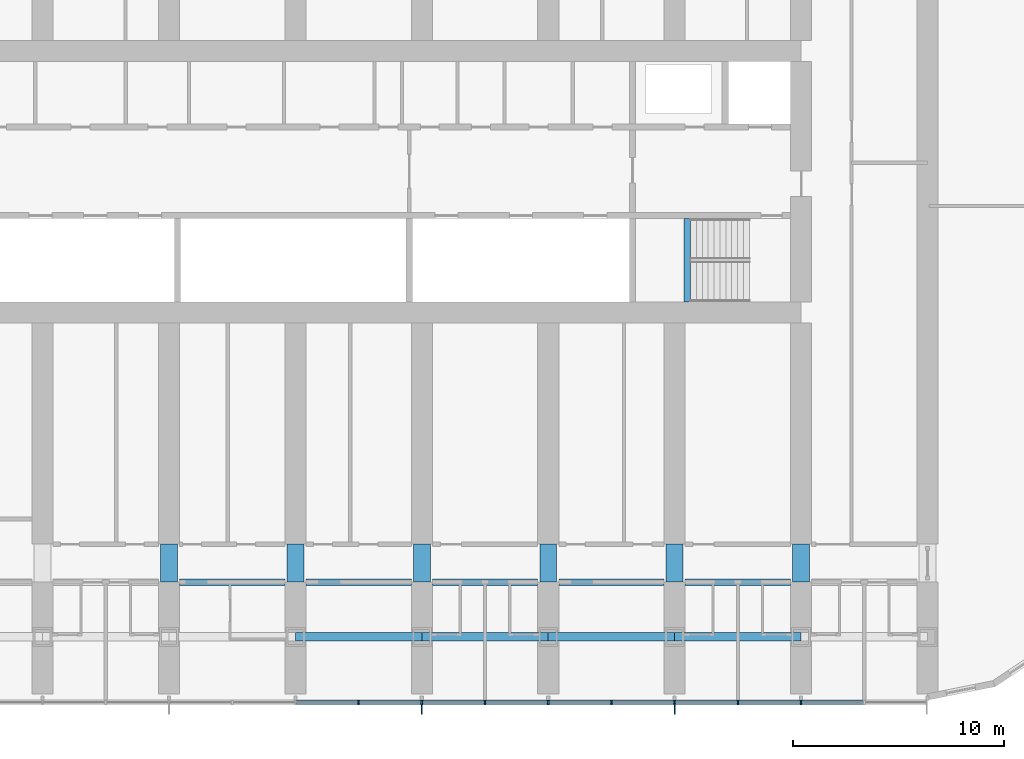
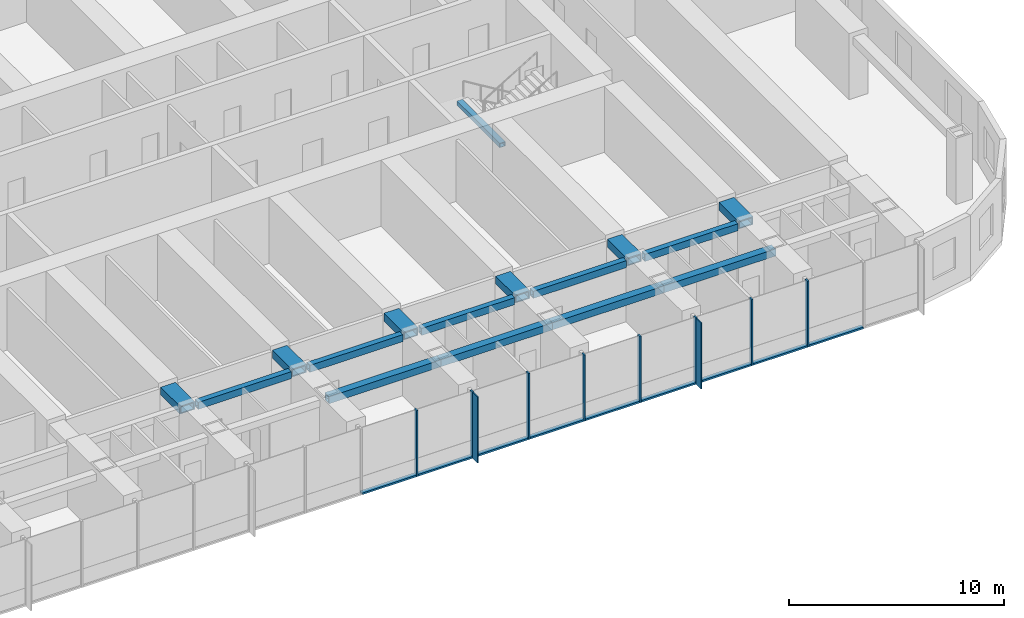
# One storey, part 3 of 24: 19 members, 16 beams, 1 element without a shape of its own.
"""IFC4 building model written with IfcOpenShell, lengths in metres."""

from ifc_helpers import new_model, si_unit, direction, frame, origin, origin_2d, place, context, subcontext, project, spatial, rectangle, hollow_rectangle, extrude, material, material_profile, profile_set, type_object, element, aggregate, save


model = new_model("IFC4")

# Units and contexts
model_context = context("Model", 3, precision=1e-05, world=origin(), true_north=direction((0.0, 1.0)))
body_context = subcontext(model_context, "Body", "Model", "MODEL_VIEW")
ifc_project = project(units=[si_unit("LENGTHUNIT", "METRE"), si_unit("AREAUNIT", "SQUARE_METRE"), si_unit("VOLUMEUNIT", "CUBIC_METRE"), si_unit("PLANEANGLEUNIT", "RADIAN"), si_unit("MASSUNIT", "GRAM", prefix="KILO")], contexts=[model_context])

# Site, building, storey
site_placement = place(None, origin())
site = spatial("IfcSite", under=ifc_project, at=site_placement, CompositionType="ELEMENT")
building_placement = place(site_placement, origin())
building = spatial("IfcBuilding", under=site, at=building_placement, Name="Orbita Commons", CompositionType="ELEMENT")
storey_placement = place(building_placement, frame((0.0, 0.0, 27.699951171875)))
storey = spatial("IfcBuildingStorey", under=building, at=storey_placement, Name="L06", CompositionType="ELEMENT", Elevation=27.699951171875)

# Curtain wall, members
ifc_material_1 = material(Name="Anodised aluminium frame, pale silver", Category="aluminium")
curtain_wall_type = type_object("IfcCurtainWallType", Name="Unitised curtain wall CW-T, vision and spandrel", PredefinedType="NOTDEFINED", material=ifc_material_1)
curtain_wall_placement = place(storey_placement, origin())
curtain_wall = element("IfcCurtainWall", 1, at=curtain_wall_placement, inside=storey, type_object=curtain_wall_type, Name="Curtain wall south L06", PredefinedType="NOTDEFINED")
ifc_material_2 = material(Name="Anodised aluminium, pale silver", Category="aluminium")
ifc_material_profile_1 = material_profile(ifc_material_2, rectangle(XDim=0.080078125, YDim=0.219970703125, at=origin_2d()), Name="AL 80x220")
ifc_profile_set_1 = profile_set([ifc_material_profile_1], Name="Anodised aluminium, pale silver")
member_type_1 = type_object("IfcMemberType", Name="Curtain wall mullion 80x220", PredefinedType="MULLION", material=ifc_profile_set_1)
member_1_placement = place(storey_placement, frame((45.0, 7.2900390625, -0.25), z_axis=(0.0, 0.0, 1.0), x_axis=(1.0, 0.0, 0.0)))
member_1 = element("IfcMember", 2, at=member_1_placement, type_object=member_type_1, Name="Mullion 12 CW-L06-S", PredefinedType="MULLION", context=body_context, shape_type="SweptSolid", body=[
    extrude(rectangle(XDim=0.080078125, YDim=0.219970703125, at=origin_2d()), origin(), (0.0, 0.0, 1.0), 3.75),
])
member_2_placement = place(storey_placement, frame((48.0, 7.2900390625, -0.25), z_axis=(0.0, 0.0, 1.0), x_axis=(1.0, 0.0, 0.0)))
member_2 = element("IfcMember", 3, at=member_2_placement, type_object=member_type_1, Name="Mullion 13 CW-L06-S", PredefinedType="MULLION", context=body_context, shape_type="SweptSolid", body=[
    extrude(rectangle(XDim=0.080078125, YDim=0.219970703125, at=origin_2d()), origin(), (0.0, 0.0, 1.0), 3.75),
])
member_3_placement = place(storey_placement, frame((51.0, 7.2900390625, -0.25), z_axis=(0.0, 0.0, 1.0), x_axis=(1.0, 0.0, 0.0)))
member_3 = element("IfcMember", 4, at=member_3_placement, type_object=member_type_1, Name="Mullion 14 CW-L06-S", PredefinedType="MULLION", context=body_context, shape_type="SweptSolid", body=[
    extrude(rectangle(XDim=0.080078125, YDim=0.219970703125, at=origin_2d()), origin(), (0.0, 0.0, 1.0), 3.75),
])
member_4_placement = place(storey_placement, frame((54.0, 7.2900390625, -0.25), z_axis=(0.0, 0.0, 1.0), x_axis=(1.0, 0.0, 0.0)))
member_4 = element("IfcMember", 5, at=member_4_placement, type_object=member_type_1, Name="Mullion 15 CW-L06-S", PredefinedType="MULLION", context=body_context, shape_type="SweptSolid", body=[
    extrude(rectangle(XDim=0.080078125, YDim=0.219970703125, at=origin_2d()), origin(), (0.0, 0.0, 1.0), 3.75),
])
member_5_placement = place(storey_placement, frame((57.0, 7.2900390625, -0.25), z_axis=(0.0, 0.0, 1.0), x_axis=(1.0, 0.0, 0.0)))
member_5 = element("IfcMember", 6, at=member_5_placement, type_object=member_type_1, Name="Mullion 16 CW-L06-S", PredefinedType="MULLION", context=body_context, shape_type="SweptSolid", body=[
    extrude(rectangle(XDim=0.080078125, YDim=0.219970703125, at=origin_2d()), origin(), (0.0, 0.0, 1.0), 3.75),
])
member_6_placement = place(storey_placement, frame((60.0, 7.2900390625, -0.25), z_axis=(0.0, 0.0, 1.0), x_axis=(1.0, 0.0, 0.0)))
member_6 = element("IfcMember", 7, at=member_6_placement, type_object=member_type_1, Name="Mullion 17 CW-L06-S", PredefinedType="MULLION", context=body_context, shape_type="SweptSolid", body=[
    extrude(rectangle(XDim=0.080078125, YDim=0.219970703125, at=origin_2d()), origin(), (0.0, 0.0, 1.0), 3.75),
])
member_7_placement = place(storey_placement, frame((63.0, 7.2900390625, -0.25), z_axis=(0.0, 0.0, 1.0), x_axis=(1.0, 0.0, 0.0)))
member_7 = element("IfcMember", 8, at=member_7_placement, type_object=member_type_1, Name="Mullion 18 CW-L06-S", PredefinedType="MULLION", context=body_context, shape_type="SweptSolid", body=[
    extrude(rectangle(XDim=0.080078125, YDim=0.219970703125, at=origin_2d()), origin(), (0.0, 0.0, 1.0), 3.75),
])
member_8_placement = place(storey_placement, frame((66.0, 7.2900390625, -0.25), z_axis=(0.0, 0.0, 1.0), x_axis=(1.0, 0.0, 0.0)))
member_8 = element("IfcMember", 9, at=member_8_placement, type_object=member_type_1, Name="Mullion 19 CW-L06-S", PredefinedType="MULLION", context=body_context, shape_type="SweptSolid", body=[
    extrude(rectangle(XDim=0.080078125, YDim=0.219970703125, at=origin_2d()), origin(), (0.0, 0.0, 1.0), 3.75),
])
ifc_material_3 = material(Name="Anodised aluminium, pale silver", Category="aluminium")
ifc_material_profile_2 = material_profile(ifc_material_3, rectangle(XDim=0.219970703125, YDim=0.10009765625, at=origin_2d()), Name="AL 220x100")
ifc_profile_set_2 = profile_set([ifc_material_profile_2], Name="Anodised aluminium, pale silver")
member_type_2 = type_object("IfcMemberType", Name="Curtain wall stack transom 220x100", PredefinedType="USERDEFINED", material=ifc_profile_set_2)
member_9_placement = place(storey_placement, frame((42.0400390625, 7.2900390625, -0.199951171875), z_axis=(1.0, 0.0, 0.0), x_axis=(0.0, 1.0, 0.0)))
member_9 = element("IfcMember", 10, at=member_9_placement, type_object=member_type_2, Name="Transom 11.1 CW-L06-S", ObjectType="TRANSOM", PredefinedType="USERDEFINED", context=body_context, shape_type="SweptSolid", body=[
    extrude(rectangle(XDim=0.219970703125, YDim=0.10009765625, at=origin_2d()), origin(), (0.0, 0.0, 1.0), 2.919921875),
])
member_10_placement = place(storey_placement, frame((45.0400390625, 7.2900390625, -0.199951171875), z_axis=(1.0, 0.0, 0.0), x_axis=(0.0, 1.0, 0.0)))
member_10 = element("IfcMember", 11, at=member_10_placement, type_object=member_type_2, Name="Transom 12.1 CW-L06-S", ObjectType="TRANSOM", PredefinedType="USERDEFINED", context=body_context, shape_type="SweptSolid", body=[
    extrude(rectangle(XDim=0.219970703125, YDim=0.10009765625, at=origin_2d()), origin(), (0.0, 0.0, 1.0), 2.919921875),
])
member_11_placement = place(storey_placement, frame((48.0400390625, 7.2900390625, -0.199951171875), z_axis=(1.0, 0.0, 0.0), x_axis=(0.0, 1.0, 0.0)))
member_11 = element("IfcMember", 12, at=member_11_placement, type_object=member_type_2, Name="Transom 13.1 CW-L06-S", ObjectType="TRANSOM", PredefinedType="USERDEFINED", context=body_context, shape_type="SweptSolid", body=[
    extrude(rectangle(XDim=0.219970703125, YDim=0.10009765625, at=origin_2d()), origin(), (0.0, 0.0, 1.0), 2.919921875),
])
member_12_placement = place(storey_placement, frame((51.0400390625, 7.2900390625, -0.199951171875), z_axis=(1.0, 0.0, 0.0), x_axis=(0.0, 1.0, 0.0)))
member_12 = element("IfcMember", 13, at=member_12_placement, type_object=member_type_2, Name="Transom 14.1 CW-L06-S", ObjectType="TRANSOM", PredefinedType="USERDEFINED", context=body_context, shape_type="SweptSolid", body=[
    extrude(rectangle(XDim=0.219970703125, YDim=0.10009765625, at=origin_2d()), origin(), (0.0, 0.0, 1.0), 2.919921875),
])
member_13_placement = place(storey_placement, frame((54.0400390625, 7.2900390625, -0.199951171875), z_axis=(1.0, 0.0, 0.0), x_axis=(0.0, 1.0, 0.0)))
member_13 = element("IfcMember", 14, at=member_13_placement, type_object=member_type_2, Name="Transom 15.1 CW-L06-S", ObjectType="TRANSOM", PredefinedType="USERDEFINED", context=body_context, shape_type="SweptSolid", body=[
    extrude(rectangle(XDim=0.219970703125, YDim=0.10009765625, at=origin_2d()), origin(), (0.0, 0.0, 1.0), 2.919921875),
])
member_14_placement = place(storey_placement, frame((57.0400390625, 7.2900390625, -0.199951171875), z_axis=(1.0, 0.0, 0.0), x_axis=(0.0, 1.0, 0.0)))
member_14 = element("IfcMember", 15, at=member_14_placement, type_object=member_type_2, Name="Transom 16.1 CW-L06-S", ObjectType="TRANSOM", PredefinedType="USERDEFINED", context=body_context, shape_type="SweptSolid", body=[
    extrude(rectangle(XDim=0.219970703125, YDim=0.10009765625, at=origin_2d()), origin(), (0.0, 0.0, 1.0), 2.919921875),
])
member_15_placement = place(storey_placement, frame((60.0400390625, 7.2900390625, -0.199951171875), z_axis=(1.0, 0.0, 0.0), x_axis=(0.0, 1.0, 0.0)))
member_15 = element("IfcMember", 16, at=member_15_placement, type_object=member_type_2, Name="Transom 17.1 CW-L06-S", ObjectType="TRANSOM", PredefinedType="USERDEFINED", context=body_context, shape_type="SweptSolid", body=[
    extrude(rectangle(XDim=0.219970703125, YDim=0.10009765625, at=origin_2d()), origin(), (0.0, 0.0, 1.0), 2.919921875),
])
member_16_placement = place(storey_placement, frame((63.0400390625, 7.2900390625, -0.199951171875), z_axis=(1.0, 0.0, 0.0), x_axis=(0.0, 1.0, 0.0)))
member_16 = element("IfcMember", 17, at=member_16_placement, type_object=member_type_2, Name="Transom 18.1 CW-L06-S", ObjectType="TRANSOM", PredefinedType="USERDEFINED", context=body_context, shape_type="SweptSolid", body=[
    extrude(rectangle(XDim=0.219970703125, YDim=0.10009765625, at=origin_2d()), origin(), (0.0, 0.0, 1.0), 2.919921875),
])
member_17_placement = place(storey_placement, frame((66.0400390625, 7.2900390625, -0.199951171875), z_axis=(1.0, 0.0, 0.0), x_axis=(0.0, 1.0, 0.0)))
member_17 = element("IfcMember", 18, at=member_17_placement, type_object=member_type_2, Name="Transom 19.1 CW-L06-S", ObjectType="TRANSOM", PredefinedType="USERDEFINED", context=body_context, shape_type="SweptSolid", body=[
    extrude(rectangle(XDim=0.219970703125, YDim=0.10009765625, at=origin_2d()), origin(), (0.0, 0.0, 1.0), 2.919921875),
])

# Beams
ifc_material_4 = material(Name="Steel ASTM A572 Gr 50 welded plate", Category="steel")
ifc_material_profile_3 = material_profile(ifc_material_4, hollow_rectangle(XDim=0.300048828125, YDim=0.25, WallThickness=0.02490234375, at=origin_2d()), Name="BOX 250x300x25")
ifc_profile_set_3 = profile_set([ifc_material_profile_3], Name="Steel ASTM A572 Gr 50 welded plate")
beam_type_1 = type_object("IfcBeamType", Name="Stair landing beam steel BOX 250x300x25", PredefinedType="BEAM", material=ifc_profile_set_3)
beam_placement = place(storey_placement, frame((60.60009765625, 26.284912109375, 1.550048828125), z_axis=(0.0, 1.0, 0.0), x_axis=(-1.0, 0.0, 0.0)))
element("IfcBeam", 19, at=beam_placement, inside=storey, type_object=beam_type_1, Name="Stair S2 landing beam L06 1", PredefinedType="BEAM", context=body_context, shape_type="SweptSolid", body=[
    extrude(hollow_rectangle(XDim=0.300048828125, YDim=0.25, WallThickness=0.02490234375, at=origin_2d()), origin(), (0.0, 0.0, 1.0), 3.97998046875),
])
ifc_material_5 = material(Name="Steel ASTM A572 Gr 50 welded plate", Category="steel")
ifc_material_profile_4 = material_profile(ifc_material_5, hollow_rectangle(XDim=0.300048828125, YDim=0.39990234375, WallThickness=0.0400390625, at=origin_2d()), Name="BOX 400x300x40")
ifc_profile_set_4 = profile_set([ifc_material_profile_4], Name="Steel ASTM A572 Gr 50 welded plate")
beam_type_2 = type_object("IfcBeamType", Name="Steel corridor link BOX 400x300x40", PredefinedType="BEAM", material=ifc_profile_set_4)
for number, where, z_axis, x_axis, name in (
    (20, (36.5, 13.0, 3.300048828125), (1.0, 0.0, 0.0), (0.0, 1.0, 0.0), "Corridor beam SA 7-8 L06"),
    (21, (42.5, 13.0, 3.300048828125), (1.0, 0.0, 0.0), (0.0, 1.0, 0.0), "Corridor beam SA 8-9 L06"),
    (22, (48.5, 13.0, 3.300048828125), (1.0, 0.0, 0.0), (0.0, 1.0, 0.0), "Corridor beam SA 9-10 L06"),
    (23, (54.5, 13.0, 3.300048828125), (1.0, 0.0, 0.0), (0.0, 1.0, 0.0), "Corridor beam SA 10-11 L06"),
    (24, (60.5, 13.0, 3.300048828125), (1.0, 0.0, 0.0), (0.0, 1.0, 0.0), "Corridor beam SA 11-12 L06"),
):
    element("IfcBeam", number, at=place(storey_placement, frame(where, z_axis=z_axis, x_axis=x_axis)), inside=storey, type_object=beam_type_2, Name=name, PredefinedType="BEAM", context=body_context, shape_type="SweptSolid", body=[
        extrude(hollow_rectangle(XDim=0.300048828125, YDim=0.39990234375, WallThickness=0.0400390625, at=origin_2d()), origin(), (0.0, 0.0, 1.0), 5.0),
    ])
ifc_material_6 = material(Name="Steel ASTM A572 Gr 50 welded plate", Category="steel")
ifc_material_profile_5 = material_profile(ifc_material_6, hollow_rectangle(XDim=0.800048828125, YDim=0.449951171875, WallThickness=0.06005859375, at=origin_2d()), Name="BOX 450x800x60")
ifc_profile_set_5 = profile_set([ifc_material_profile_5], Name="Steel ASTM A572 Gr 50 welded plate")
beam_type_3 = type_object("IfcBeamType", Name="Steel coupling link BOX 450x800x60", PredefinedType="LINTEL", material=ifc_profile_set_5)
for number, where, z_axis, x_axis, name in (
    (25, (36.0, 13.0, 3.275146484375), (0.0, 1.0, 0.0), (-1.0, 0.0, 0.0), "Coupling beam 7 south L06"),
    (26, (42.0, 13.0, 3.275146484375), (0.0, 1.0, 0.0), (-1.0, 0.0, 0.0), "Coupling beam 8 south L06"),
    (27, (48.0, 13.0, 3.275146484375), (0.0, 1.0, 0.0), (-1.0, 0.0, 0.0), "Coupling beam 9 south L06"),
    (28, (54.0, 13.0, 3.275146484375), (0.0, 1.0, 0.0), (-1.0, 0.0, 0.0), "Coupling beam 10 south L06"),
    (29, (60.0, 13.0, 3.275146484375), (0.0, 1.0, 0.0), (-1.0, 0.0, 0.0), "Coupling beam 11 south L06"),
    (30, (66.0, 13.0, 3.275146484375), (0.0, 1.0, 0.0), (-1.0, 0.0, 0.0), "Coupling beam 12 south L06"),
):
    element("IfcBeam", number, at=place(storey_placement, frame(where, z_axis=z_axis, x_axis=x_axis)), inside=storey, type_object=beam_type_3, Name=name, PredefinedType="LINTEL", context=body_context, shape_type="SweptSolid", body=[
        extrude(hollow_rectangle(XDim=0.800048828125, YDim=0.449951171875, WallThickness=0.06005859375, at=origin_2d()), origin(), (0.0, 0.0, 1.0), 1.800048828125),
    ])
ifc_material_7 = material(Name="Steel ASTM A572 Gr 50 welded plate", Category="steel")
ifc_material_profile_6 = material_profile(ifc_material_7, hollow_rectangle(XDim=0.39990234375, YDim=0.39990234375, WallThickness=0.0400390625, at=origin_2d()), Name="BOX 400x400x40")
ifc_profile_set_6 = profile_set([ifc_material_profile_6], Name="Steel ASTM A572 Gr 50 welded plate")
beam_type_4 = type_object("IfcBeamType", Name="Steel spandrel BOX 400x400x40", PredefinedType="SPANDREL", material=ifc_profile_set_6)
for number, where, z_axis, x_axis, name in (
    (31, (42.0, 10.39990234375, 3.300048828125), (1.0, 0.0, 0.0), (0.0, 1.0, 0.0), "Spandrel beam B 8-9 L06"),
    (32, (48.0, 10.39990234375, 3.300048828125), (1.0, 0.0, 0.0), (0.0, 1.0, 0.0), "Spandrel beam B 9-10 L06"),
    (33, (54.0, 10.39990234375, 3.300048828125), (1.0, 0.0, 0.0), (0.0, 1.0, 0.0), "Spandrel beam B 10-11 L06"),
    (34, (60.0, 10.39990234375, 3.300048828125), (1.0, 0.0, 0.0), (0.0, 1.0, 0.0), "Spandrel beam B 11-12 L06"),
):
    element("IfcBeam", number, at=place(storey_placement, frame(where, z_axis=z_axis, x_axis=x_axis)), inside=storey, type_object=beam_type_4, Name=name, PredefinedType="SPANDREL", context=body_context, shape_type="SweptSolid", body=[
        extrude(hollow_rectangle(XDim=0.39990234375, YDim=0.39990234375, WallThickness=0.0400390625, at=origin_2d()), origin(), (0.0, 0.0, 1.0), 6.0),
    ])

# Member
ifc_material_8 = material(Name="Anodised aluminium, pale silver", Category="aluminium")
ifc_material_profile_7 = material_profile(ifc_material_8, rectangle(XDim=0.06005859375, YDim=0.449951171875, at=origin_2d()), Name="FIN 60x450")
ifc_profile_set_7 = profile_set([ifc_material_profile_7], Name="Anodised aluminium, pale silver")
member_type_3 = type_object("IfcMemberType", Name="Vertical fin 60x450 pale aluminium", PredefinedType="USERDEFINED", material=ifc_profile_set_7)
member_18_placement = place(storey_placement, frame((48.0, 6.955078125, -0.25), z_axis=(0.0, 0.0, 1.0), x_axis=(1.0, 0.0, 0.0)))
member_18 = element("IfcMember", 35, at=member_18_placement, type_object=member_type_3, Name="Fin 13 CW-L06-S", ObjectType="FIN", PredefinedType="USERDEFINED", context=body_context, shape_type="SweptSolid", body=[
    extrude(rectangle(XDim=0.06005859375, YDim=0.449951171875, at=origin_2d()), origin(), (0.0, 0.0, 1.0), 3.75),
])

member_19_placement = place(storey_placement, frame((60.0, 6.955078125, -0.25), z_axis=(0.0, 0.0, 1.0), x_axis=(1.0, 0.0, 0.0)))
member_19 = element("IfcMember", 36, at=member_19_placement, type_object=member_type_3, Name="Fin 17 CW-L06-S", ObjectType="FIN", PredefinedType="USERDEFINED", context=body_context, shape_type="SweptSolid", body=[
    extrude(rectangle(XDim=0.06005859375, YDim=0.449951171875, at=origin_2d()), origin(), (0.0, 0.0, 1.0), 3.75),
])

aggregate(curtain_wall, [member_1, member_2, member_18, member_3, member_4, member_5, member_6, member_19, member_7, member_8, member_9, member_10, member_11, member_12, member_13, member_14, member_15, member_16, member_17])

save(model, "model.ifc")
